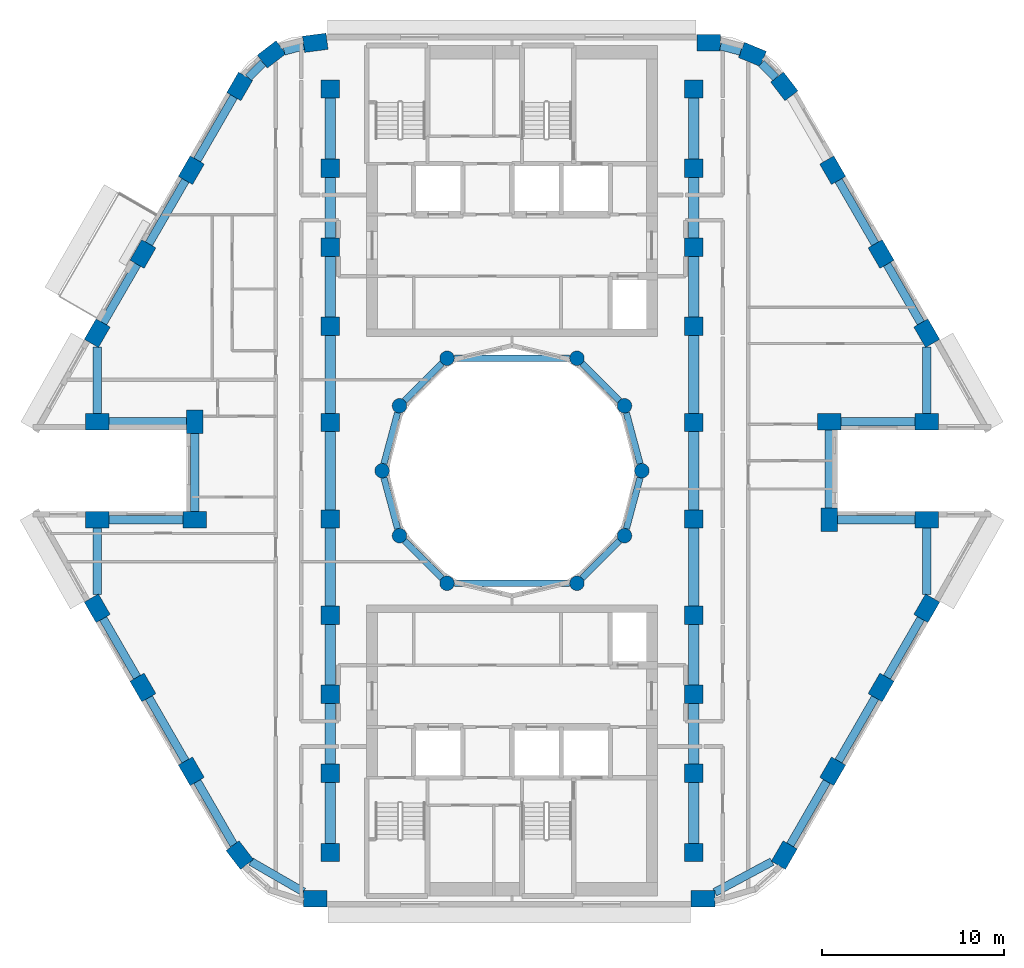
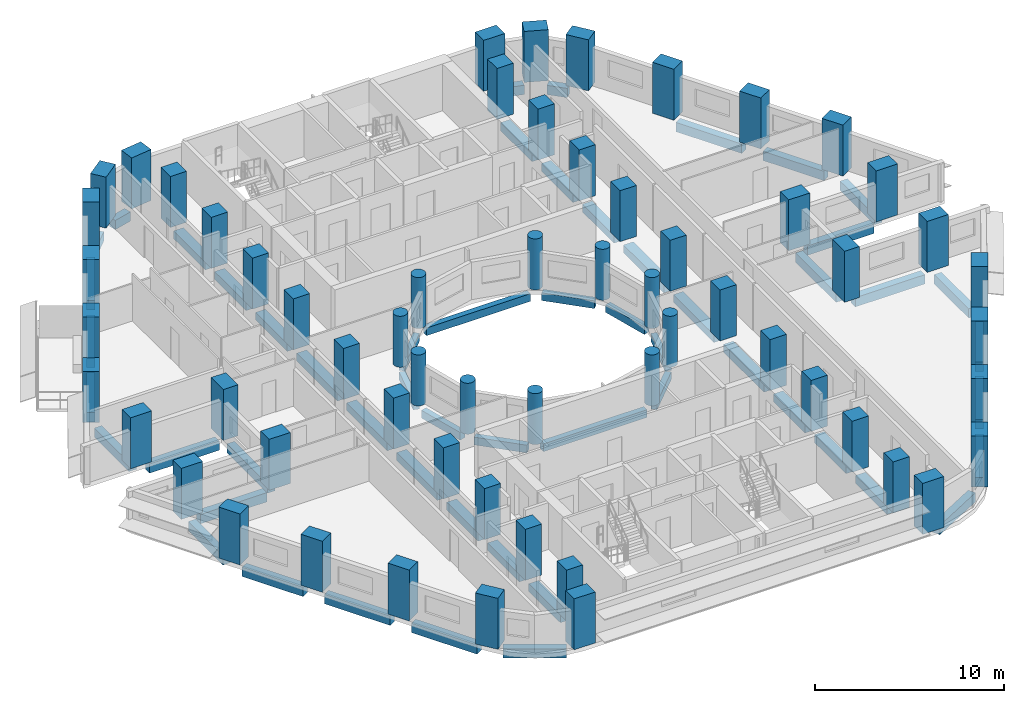
# One storey, part 1 of 13: 60 columns, 55 beams.
"""IFC4 building model written with IfcOpenShell, lengths in metres."""

from ifc_helpers import new_model, si_unit, direction, frame, origin, origin_2d, place, context, subcontext, project, spatial, rectangle, circle, extrude, material, material_profile, profile_set, type_object, element, save


model = new_model("IFC4")

# Units and contexts
model_context = context("Model", 3, precision=1e-05, world=origin(), true_north=direction((0.0, 1.0)))
body_context = subcontext(model_context, "Body", "Model", "MODEL_VIEW")
ifc_project = project(units=[si_unit("LENGTHUNIT", "METRE"), si_unit("AREAUNIT", "SQUARE_METRE"), si_unit("VOLUMEUNIT", "CUBIC_METRE"), si_unit("PLANEANGLEUNIT", "RADIAN"), si_unit("MASSUNIT", "GRAM", prefix="KILO")], contexts=[model_context])

# Site, building, storey
site_placement = place(None, origin())
site = spatial("IfcSite", under=ifc_project, at=site_placement, CompositionType="ELEMENT")
building_placement = place(site_placement, origin())
building = spatial("IfcBuilding", under=site, at=building_placement, Name="Nakaniwa Court", CompositionType="ELEMENT")
storey_placement = place(building_placement, frame((0.0, 0.0, 150.300048828125)))
storey = spatial("IfcBuildingStorey", under=building, at=storey_placement, Name="L39", CompositionType="ELEMENT", Elevation=150.300048828125)

# Columns
ifc_material = material(Name="Concrete C80/100", Category="concrete")
ifc_material_profile_1 = material_profile(ifc_material, rectangle(XDim=1.0, YDim=1.0, at=origin_2d()), Name="Concrete C80/100 RC 1000x1000 spine column")
ifc_profile_set_1 = profile_set([ifc_material_profile_1], Name="Concrete C80/100")
column_type_1 = type_object("IfcColumnType", Name="Concrete C80/100 RC 1000x1000 spine column", PredefinedType="COLUMN", material=ifc_profile_set_1)
for number, where, z_axis, x_axis, name in (
    (1, (90.0, 59.0, 0.0), (0.0, 0.0, 1.0), (0.0, 1.0, 0.0), "COLUMN CS-01"),
    (2, (90.0, 63.35009765625, 0.0), (0.0, 0.0, 1.0), (0.0, 1.0, 0.0), "COLUMN CS-02"),
    (3, (90.0, 67.699951171875, 0.0), (0.0, 0.0, 1.0), (0.0, 1.0, 0.0), "COLUMN CS-03"),
    (4, (90.0, 72.050048828125, 0.0), (0.0, 0.0, 1.0), (0.0, 1.0, 0.0), "COLUMN CS-04"),
    (5, (90.0, 77.35009765625, 0.0), (0.0, 0.0, 1.0), (0.0, 1.0, 0.0), "COLUMN CS-05"),
    (6, (90.0, 82.64990234375, 0.0), (0.0, 0.0, 1.0), (0.0, 1.0, 0.0), "COLUMN CS-06"),
    (7, (90.0, 87.949951171875, 0.0), (0.0, 0.0, 1.0), (0.0, 1.0, 0.0), "COLUMN CS-07"),
    (8, (90.0, 92.300048828125, 0.0), (0.0, 0.0, 1.0), (0.0, 1.0, 0.0), "COLUMN CS-08"),
    (9, (90.0, 96.64990234375, 0.0), (0.0, 0.0, 1.0), (0.0, 1.0, 0.0), "COLUMN CS-09"),
    (10, (90.0, 101.0, 0.0), (0.0, 0.0, 1.0), (0.0, 1.0, 0.0), "COLUMN CS-10"),
    (11, (70.0, 101.0, 0.0), (0.0, 0.0, 1.0), (0.0, -1.0, 0.0), "COLUMN CS-11"),
    (12, (70.0, 96.64990234375, 0.0), (0.0, 0.0, 1.0), (0.0, -1.0, 0.0), "COLUMN CS-12"),
    (13, (70.0, 92.300048828125, 0.0), (0.0, 0.0, 1.0), (0.0, -1.0, 0.0), "COLUMN CS-13"),
    (14, (70.0, 87.949951171875, 0.0), (0.0, 0.0, 1.0), (0.0, -1.0, 0.0), "COLUMN CS-14"),
    (15, (70.0, 82.64990234375, 0.0), (0.0, 0.0, 1.0), (0.0, -1.0, 0.0), "COLUMN CS-15"),
    (16, (70.0, 77.35009765625, 0.0), (0.0, 0.0, 1.0), (0.0, -1.0, 0.0), "COLUMN CS-16"),
    (17, (70.0, 72.050048828125, 0.0), (0.0, 0.0, 1.0), (0.0, -1.0, 0.0), "COLUMN CS-17"),
    (18, (70.0, 67.699951171875, 0.0), (0.0, 0.0, 1.0), (0.0, -1.0, 0.0), "COLUMN CS-18"),
    (19, (70.0, 63.35009765625, 0.0), (0.0, 0.0, 1.0), (0.0, -1.0, 0.0), "COLUMN CS-19"),
    (20, (70.0, 59.0, 0.0), (0.0, 0.0, 1.0), (0.0, -1.0, 0.0), "COLUMN CS-20"),
):
    element("IfcColumn", number, at=place(storey_placement, frame(where, z_axis=z_axis, x_axis=x_axis)), inside=storey, type_object=column_type_1, Name=name, PredefinedType="COLUMN", context=body_context, shape_type="SweptSolid", body=[
        extrude(rectangle(XDim=1.0, YDim=1.0, at=origin_2d()), origin(), (0.0, 0.0, 1.0), 3.300048828125),
    ])
ifc_material_profile_2 = material_profile(ifc_material, rectangle(XDim=1.300048828125, YDim=0.89990234375, at=origin_2d()), Name="Concrete C80/100 RC 1300x900 perimeter column")
ifc_profile_set_2 = profile_set([ifc_material_profile_2], Name="Concrete C80/100")
column_type_2 = type_object("IfcColumnType", Name="Concrete C80/100 RC 1300x900 perimeter column", PredefinedType="COLUMN", material=ifc_profile_set_2)
for number, where, z_axis, x_axis, name in (
    (21, (69.17529296875, 103.550048828125, 0.0), (0.0, 0.0, 1.0), (-0.991442583111, -0.130543496177, 0.0), "COLUMN CO-01"),
    (22, (66.772705078125, 102.91015625, 0.0), (0.0, 0.0, 1.0), (-0.793363965062, -0.608747582288, 0.0), "COLUMN CO-02"),
    (23, (65.017578125, 101.1494140625, 0.0), (0.0, 0.0, 1.0), (-0.5, -0.866025403784, 0.0), "COLUMN CO-03"),
    (24, (62.3544921875, 96.537109375, 0.0), (0.0, 0.0, 1.0), (-0.5, -0.866025403784, 0.0), "COLUMN CO-04"),
    (25, (59.691650390625, 91.9248046875, 0.0), (0.0, 0.0, 1.0), (-0.5, -0.866025403784, 0.0), "COLUMN CO-05"),
    (26, (57.177001953125, 87.569580078125, 0.0), (0.0, 0.0, 1.0), (-0.5, -0.866025403784, 0.0), "COLUMN CO-06"),
    (27, (57.177001953125, 82.699951171875, 0.0), (0.0, 0.0, 1.0), (1.0, 0.0, 0.0), "COLUMN CO-08"),
    (28, (62.54150390625, 82.699951171875, 0.0), (0.0, 0.0, 1.0), (0.0, -1.0, 0.0), "COLUMN CO-09"),
    (29, (62.54150390625, 77.300048828125, 0.0), (0.0, 0.0, 1.0), (-1.0, 0.0, 0.0), "COLUMN CO-10"),
    (30, (57.177001953125, 77.300048828125, 0.0), (0.0, 0.0, 1.0), (-1.0, 0.0, 0.0), "COLUMN CO-11"),
    (31, (57.177001953125, 72.430419921875, 0.0), (0.0, 0.0, 1.0), (0.5, -0.866025403784, 0.0), "COLUMN CO-13"),
    (32, (59.691650390625, 68.0751953125, 0.0), (0.0, 0.0, 1.0), (0.5, -0.866025403784, 0.0), "COLUMN CO-14"),
    (33, (62.3544921875, 63.462890625, 0.0), (0.0, 0.0, 1.0), (0.5, -0.866025403784, 0.0), "COLUMN CO-15"),
    (34, (65.017578125, 58.8505859375, 0.0), (0.0, 0.0, 1.0), (0.608761429009, -0.793353340291, 0.0), "COLUMN CO-16"),
    (35, (69.17529296875, 56.449951171875, 0.0), (0.0, 0.0, 1.0), (1.0, 0.0, 0.0), "COLUMN CO-17"),
    (36, (90.507080078125, 56.449951171875, 0.0), (0.0, 0.0, 1.0), (1.0, 0.0, 0.0), "COLUMN CO-21"),
    (37, (94.982421875, 58.8505859375, 0.0), (0.0, 0.0, 1.0), (0.5, 0.866025403784, 0.0), "COLUMN CO-22"),
    (38, (97.6455078125, 63.462890625, 0.0), (0.0, 0.0, 1.0), (0.5, 0.866025403784, 0.0), "COLUMN CO-23"),
    (39, (100.308349609375, 68.0751953125, 0.0), (0.0, 0.0, 1.0), (0.5, 0.866025403784, 0.0), "COLUMN CO-24"),
    (40, (102.822998046875, 72.430419921875, 0.0), (0.0, 0.0, 1.0), (0.5, 0.866025403784, 0.0), "COLUMN CO-25"),
    (41, (102.822998046875, 77.300048828125, 0.0), (0.0, 0.0, 1.0), (-1.0, 0.0, 0.0), "COLUMN CO-27"),
    (42, (97.45849609375, 77.300048828125, 0.0), (0.0, 0.0, 1.0), (0.0, 1.0, 0.0), "COLUMN CO-28"),
    (43, (97.45849609375, 82.699951171875, 0.0), (0.0, 0.0, 1.0), (1.0, 0.0, 0.0), "COLUMN CO-29"),
    (44, (102.822998046875, 82.699951171875, 0.0), (0.0, 0.0, 1.0), (1.0, 0.0, 0.0), "COLUMN CO-30"),
    (45, (102.822998046875, 87.569580078125, 0.0), (0.0, 0.0, 1.0), (-0.5, 0.866025403784, 0.0), "COLUMN CO-32"),
    (46, (100.308349609375, 91.9248046875, 0.0), (0.0, 0.0, 1.0), (-0.5, 0.866025403784, 0.0), "COLUMN CO-33"),
    (47, (97.6455078125, 96.537109375, 0.0), (0.0, 0.0, 1.0), (-0.5, 0.866025403784, 0.0), "COLUMN CO-34"),
    (48, (94.982421875, 101.1494140625, 0.0), (0.0, 0.0, 1.0), (-0.608761429009, 0.793353340291, 0.0), "COLUMN CO-35"),
    (49, (93.227294921875, 102.91015625, 0.0), (0.0, 0.0, 1.0), (-0.923879532511, 0.382683432365, 0.0), "COLUMN CO-36"),
    (50, (90.82470703125, 103.550048828125, 0.0), (0.0, 0.0, 1.0), (-1.0, 0.0, 0.0), "COLUMN CO-37"),
):
    element("IfcColumn", number, at=place(storey_placement, frame(where, z_axis=z_axis, x_axis=x_axis)), inside=storey, type_object=column_type_2, Name=name, PredefinedType="COLUMN", context=body_context, shape_type="SweptSolid", body=[
        extrude(rectangle(XDim=1.300048828125, YDim=0.89990234375, at=origin_2d()), origin(), (0.0, 0.0, 1.0), 3.300048828125),
    ])
ifc_material_profile_3 = material_profile(ifc_material, circle(Radius=0.39990234375, at=origin_2d()), Name="Concrete C80/100 RC D800 inner ring column")
ifc_profile_set_3 = profile_set([ifc_material_profile_3], Name="Concrete C80/100")
column_type_3 = type_object("IfcColumnType", Name="Concrete C80/100 RC D800 inner ring column", PredefinedType="COLUMN", material=ifc_profile_set_3)
for number, where, z_axis, x_axis, name in (
    (51, (87.14990234375, 80.0, 0.0), (0.0, 0.0, 1.0), (0.0, 1.0, 0.0), "COLUMN CI-01"),
    (52, (86.192138671875, 83.574951171875, 0.0), (0.0, 0.0, 1.0), (-0.5, 0.866025403784, 0.0), "COLUMN CI-02"),
    (53, (83.574951171875, 86.192138671875, 0.0), (0.0, 0.0, 1.0), (-0.866025403784, 0.5, 0.0), "COLUMN CI-03"),
    (54, (76.425048828125, 86.192138671875, 0.0), (0.0, 0.0, 1.0), (-0.866025403784, -0.5, 0.0), "COLUMN CI-05"),
    (55, (73.807861328125, 83.574951171875, 0.0), (0.0, 0.0, 1.0), (-0.5, -0.866025403784, 0.0), "COLUMN CI-06"),
    (56, (72.85009765625, 80.0, 0.0), (0.0, 0.0, 1.0), (0.0, -1.0, 0.0), "COLUMN CI-07"),
    (57, (73.807861328125, 76.425048828125, 0.0), (0.0, 0.0, 1.0), (0.5, -0.866025403784, 0.0), "COLUMN CI-08"),
    (58, (76.425048828125, 73.807861328125, 0.0), (0.0, 0.0, 1.0), (0.866025403784, -0.5, 0.0), "COLUMN CI-09"),
    (59, (83.574951171875, 73.807861328125, 0.0), (0.0, 0.0, 1.0), (0.866025403784, 0.5, 0.0), "COLUMN CI-11"),
    (60, (86.192138671875, 76.425048828125, 0.0), (0.0, 0.0, 1.0), (0.5, 0.866025403784, 0.0), "COLUMN CI-12"),
):
    element("IfcColumn", number, at=place(storey_placement, frame(where, z_axis=z_axis, x_axis=x_axis)), inside=storey, type_object=column_type_3, Name=name, PredefinedType="COLUMN", context=body_context, shape_type="SweptSolid", body=[
        extrude(circle(Radius=0.39990234375, at=origin_2d()), origin(), (0.0, 0.0, 1.0), 3.300048828125),
    ])

# Beams
ifc_material_profile_4 = material_profile(ifc_material, rectangle(XDim=0.35009765625, YDim=0.5, at=origin_2d()), Name="Concrete C80/100 RC 350x500 ring beam")
ifc_profile_set_4 = profile_set([ifc_material_profile_4], Name="Concrete C80/100")
beam_type_1 = type_object("IfcBeamType", Name="Concrete C80/100 RC 350x500 ring beam", PredefinedType="BEAM", material=ifc_profile_set_4)
beam_1_placement = place(storey_placement, frame((87.04638671875, 80.386474609375, -0.525146484375), z_axis=(-0.258778150207, 0.965936783115, 0.0), x_axis=(-0.965936783115, -0.258778150207, 0.0)))
element("IfcBeam", 61, at=beam_1_placement, inside=storey, type_object=beam_type_1, Name="RING BEAM", PredefinedType="BEAM", context=body_context, shape_type="SweptSolid", body=[
    extrude(rectangle(XDim=0.35009765625, YDim=0.5, at=origin_2d()), origin(), (0.0, 0.0, 1.0), 2.901123046875),
])
beam_2_placement = place(storey_placement, frame((85.9091796875, 83.85791015625, -0.525146484375), z_axis=(-0.707106781187, 0.707106781187, 0.0), x_axis=(-0.707106781187, -0.707106781187, 0.0)))
element("IfcBeam", 62, at=beam_2_placement, inside=storey, type_object=beam_type_1, Name="RING BEAM", PredefinedType="BEAM", context=body_context, shape_type="SweptSolid", body=[
    extrude(rectangle(XDim=0.35009765625, YDim=0.5, at=origin_2d()), origin(), (0.0, 0.0, 1.0), 2.90087890625),
])
beam_3_placement = place(storey_placement, frame((83.175048828125, 86.192138671875, -0.525146484375), z_axis=(-1.0, 0.0, 0.0), x_axis=(0.0, -1.0, 0.0)))
element("IfcBeam", 63, at=beam_3_placement, inside=storey, type_object=beam_type_1, Name="RING BEAM", PredefinedType="BEAM", context=body_context, shape_type="SweptSolid", body=[
    extrude(rectangle(XDim=0.35009765625, YDim=0.5, at=origin_2d()), origin(), (0.0, 0.0, 1.0), 6.35009765625),
])
beam_4_placement = place(storey_placement, frame((76.14208984375, 85.9091796875, -0.525146484375), z_axis=(-0.707106781187, -0.707106781187, 0.0), x_axis=(0.707106781187, -0.707106781187, 0.0)))
element("IfcBeam", 64, at=beam_4_placement, inside=storey, type_object=beam_type_1, Name="RING BEAM", PredefinedType="BEAM", context=body_context, shape_type="SweptSolid", body=[
    extrude(rectangle(XDim=0.35009765625, YDim=0.5, at=origin_2d()), origin(), (0.0, 0.0, 1.0), 2.90087890625),
])
for number, where, z_axis, x_axis, name in (
    (65, (73.704345703125, 83.188720703125, -0.525146484375), (-0.258778150207, -0.965936783115, 0.0), (0.965936783115, -0.258778150207, 0.0), "RING BEAM"),
    (66, (72.95361328125, 79.613525390625, -0.525146484375), (0.258778150207, -0.965936783115, 0.0), (0.965936783115, 0.258778150207, 0.0), "RING BEAM"),
):
    element("IfcBeam", number, at=place(storey_placement, frame(where, z_axis=z_axis, x_axis=x_axis)), inside=storey, type_object=beam_type_1, Name=name, PredefinedType="BEAM", context=body_context, shape_type="SweptSolid", body=[
        extrude(rectangle(XDim=0.35009765625, YDim=0.5, at=origin_2d()), origin(), (0.0, 0.0, 1.0), 2.901123046875),
    ])
beam_5_placement = place(storey_placement, frame((74.0908203125, 76.14208984375, -0.525146484375), z_axis=(0.707106781187, -0.707106781187, 0.0), x_axis=(0.707106781187, 0.707106781187, 0.0)))
element("IfcBeam", 67, at=beam_5_placement, inside=storey, type_object=beam_type_1, Name="RING BEAM", PredefinedType="BEAM", context=body_context, shape_type="SweptSolid", body=[
    extrude(rectangle(XDim=0.35009765625, YDim=0.5, at=origin_2d()), origin(), (0.0, 0.0, 1.0), 2.90087890625),
])
beam_6_placement = place(storey_placement, frame((76.824951171875, 73.807861328125, -0.525146484375), z_axis=(1.0, 0.0, 0.0), x_axis=(0.0, 1.0, 0.0)))
element("IfcBeam", 68, at=beam_6_placement, inside=storey, type_object=beam_type_1, Name="RING BEAM", PredefinedType="BEAM", context=body_context, shape_type="SweptSolid", body=[
    extrude(rectangle(XDim=0.35009765625, YDim=0.5, at=origin_2d()), origin(), (0.0, 0.0, 1.0), 6.35009765625),
])
beam_7_placement = place(storey_placement, frame((83.85791015625, 74.0908203125, -0.525146484375), z_axis=(0.707106781187, 0.707106781187, 0.0), x_axis=(-0.707106781187, 0.707106781187, 0.0)))
element("IfcBeam", 69, at=beam_7_placement, inside=storey, type_object=beam_type_1, Name="RING BEAM", PredefinedType="BEAM", context=body_context, shape_type="SweptSolid", body=[
    extrude(rectangle(XDim=0.35009765625, YDim=0.5, at=origin_2d()), origin(), (0.0, 0.0, 1.0), 2.90087890625),
])
beam_8_placement = place(storey_placement, frame((86.295654296875, 76.811279296875, -0.525146484375), z_axis=(0.258778150207, 0.965936783115, 0.0), x_axis=(-0.965936783115, 0.258778150207, 0.0)))
element("IfcBeam", 70, at=beam_8_placement, inside=storey, type_object=beam_type_1, Name="RING BEAM", PredefinedType="BEAM", context=body_context, shape_type="SweptSolid", body=[
    extrude(rectangle(XDim=0.35009765625, YDim=0.5, at=origin_2d()), origin(), (0.0, 0.0, 1.0), 2.901123046875),
])
ifc_material_profile_5 = material_profile(ifc_material, rectangle(XDim=0.449951171875, YDim=0.60009765625, at=origin_2d()), Name="Concrete C80/100 RC 450x600 spandrel beam")
ifc_profile_set_5 = profile_set([ifc_material_profile_5], Name="Concrete C80/100")
beam_type_2 = type_object("IfcBeamType", Name="Concrete C80/100 RC 450x600 spandrel beam", PredefinedType="BEAM", material=ifc_profile_set_5)
beam_9_placement = place(storey_placement, frame((68.5419921875, 103.38134765625, -0.574951171875), z_axis=(-0.966321172043, -0.257339061284, 0.0), x_axis=(0.257339061284, -0.966321172043, 0.0)))
element("IfcBeam", 71, at=beam_9_placement, inside=storey, type_object=beam_type_2, Name="SPANDREL BEAM", PredefinedType="BEAM", context=body_context, shape_type="SweptSolid", body=[
    extrude(rectangle(XDim=0.449951171875, YDim=0.60009765625, at=origin_2d()), origin(), (0.0, 0.0, 1.0), 1.126953125),
])
beam_10_placement = place(storey_placement, frame((66.309814453125, 102.44580078125, -0.574951171875), z_axis=(-0.706051557188, -0.708160432807, 0.0), x_axis=(0.708160432807, -0.706051557188, 0.0)))
element("IfcBeam", 72, at=beam_10_placement, inside=storey, type_object=beam_type_2, Name="SPANDREL BEAM", PredefinedType="BEAM", context=body_context, shape_type="SweptSolid", body=[
    extrude(rectangle(XDim=0.449951171875, YDim=0.60009765625, at=origin_2d()), origin(), (0.0, 0.0, 1.0), 1.15771484375),
])
for number, where, z_axis, x_axis, name in (
    (73, (64.6923828125, 100.586669921875, -0.574951171875), (-0.499993669216, -0.866029058833, 0.0), (0.866029058833, -0.499993669216, 0.0), "SPANDREL BEAM"),
    (74, (62.029541015625, 95.97412109375, -0.574951171875), (-0.499993669216, -0.866029058833, 0.0), (0.866029058833, -0.499993669216, 0.0), "SPANDREL BEAM"),
):
    element("IfcBeam", number, at=place(storey_placement, frame(where, z_axis=z_axis, x_axis=x_axis)), inside=storey, type_object=beam_type_2, Name=name, PredefinedType="BEAM", context=body_context, shape_type="SweptSolid", body=[
        extrude(rectangle(XDim=0.449951171875, YDim=0.60009765625, at=origin_2d()), origin(), (0.0, 0.0, 1.0), 4.02587890625),
    ])
beam_11_placement = place(storey_placement, frame((59.36669921875, 91.36181640625, -0.574951171875), z_axis=(-0.50001905207, -0.866014403787, 0.0), x_axis=(0.866014403787, -0.50001905207, 0.0)))
element("IfcBeam", 75, at=beam_11_placement, inside=storey, type_object=beam_type_2, Name="SPANDREL BEAM", PredefinedType="BEAM", context=body_context, shape_type="SweptSolid", body=[
    extrude(rectangle(XDim=0.449951171875, YDim=0.60009765625, at=origin_2d()), origin(), (0.0, 0.0, 1.0), 3.728759765625),
])
beam_12_placement = place(storey_placement, frame((57.177001953125, 86.819091796875, -0.574951171875), z_axis=(0.0, -1.0, 0.0), x_axis=(1.0, 0.0, 0.0)))
element("IfcBeam", 76, at=beam_12_placement, inside=storey, type_object=beam_type_2, Name="SPANDREL BEAM", PredefinedType="BEAM", context=body_context, shape_type="SweptSolid", body=[
    extrude(rectangle(XDim=0.449951171875, YDim=0.60009765625, at=origin_2d()), origin(), (0.0, 0.0, 1.0), 3.669189453125),
])
beam_13_placement = place(storey_placement, frame((57.8271484375, 82.699951171875, -0.574951171875), z_axis=(1.0, 0.0, 0.0), x_axis=(0.0, 1.0, 0.0)))
element("IfcBeam", 77, at=beam_13_placement, inside=storey, type_object=beam_type_2, Name="SPANDREL BEAM", PredefinedType="BEAM", context=body_context, shape_type="SweptSolid", body=[
    extrude(rectangle(XDim=0.449951171875, YDim=0.60009765625, at=origin_2d()), origin(), (0.0, 0.0, 1.0), 4.264404296875),
])
beam_14_placement = place(storey_placement, frame((62.54150390625, 82.050048828125, -0.574951171875), z_axis=(0.0, -1.0, 0.0), x_axis=(1.0, 0.0, 0.0)))
element("IfcBeam", 78, at=beam_14_placement, inside=storey, type_object=beam_type_2, Name="SPANDREL BEAM", PredefinedType="BEAM", context=body_context, shape_type="SweptSolid", body=[
    extrude(rectangle(XDim=0.449951171875, YDim=0.60009765625, at=origin_2d()), origin(), (0.0, 0.0, 1.0), 4.300048828125),
])
beam_15_placement = place(storey_placement, frame((61.8916015625, 77.300048828125, -0.574951171875), z_axis=(-1.0, 0.0, 0.0), x_axis=(0.0, -1.0, 0.0)))
element("IfcBeam", 79, at=beam_15_placement, inside=storey, type_object=beam_type_2, Name="SPANDREL BEAM", PredefinedType="BEAM", context=body_context, shape_type="SweptSolid", body=[
    extrude(rectangle(XDim=0.449951171875, YDim=0.60009765625, at=origin_2d()), origin(), (0.0, 0.0, 1.0), 4.064453125),
])
beam_16_placement = place(storey_placement, frame((57.177001953125, 76.85009765625, -0.574951171875), z_axis=(0.0, -1.0, 0.0), x_axis=(1.0, 0.0, 0.0)))
element("IfcBeam", 80, at=beam_16_placement, inside=storey, type_object=beam_type_2, Name="SPANDREL BEAM", PredefinedType="BEAM", context=body_context, shape_type="SweptSolid", body=[
    extrude(rectangle(XDim=0.449951171875, YDim=0.60009765625, at=origin_2d()), origin(), (0.0, 0.0, 1.0), 3.669189453125),
])
beam_17_placement = place(storey_placement, frame((57.502197265625, 71.867431640625, -0.574951171875), z_axis=(0.50001905207, -0.866014403787, 0.0), x_axis=(0.866014403787, 0.50001905207, 0.0)))
element("IfcBeam", 81, at=beam_17_placement, inside=storey, type_object=beam_type_2, Name="SPANDREL BEAM", PredefinedType="BEAM", context=body_context, shape_type="SweptSolid", body=[
    extrude(rectangle(XDim=0.449951171875, YDim=0.60009765625, at=origin_2d()), origin(), (0.0, 0.0, 1.0), 3.728759765625),
])
beam_18_placement = place(storey_placement, frame((60.0166015625, 67.512451171875, -0.574951171875), z_axis=(0.499993669216, -0.866029058833, 0.0), x_axis=(0.866029058833, 0.499993669216, 0.0)))
element("IfcBeam", 82, at=beam_18_placement, inside=storey, type_object=beam_type_2, Name="SPANDREL BEAM", PredefinedType="BEAM", context=body_context, shape_type="SweptSolid", body=[
    extrude(rectangle(XDim=0.449951171875, YDim=0.60009765625, at=origin_2d()), origin(), (0.0, 0.0, 1.0), 4.02587890625),
])
beam_19_placement = place(storey_placement, frame((62.679443359375, 62.89990234375, -0.574951171875), z_axis=(0.500018573463, -0.866014680125, 0.0), x_axis=(0.866014680125, 0.500018573463, 0.0)))
element("IfcBeam", 83, at=beam_19_placement, inside=storey, type_object=beam_type_2, Name="SPANDREL BEAM", PredefinedType="BEAM", context=body_context, shape_type="SweptSolid", body=[
    extrude(rectangle(XDim=0.449951171875, YDim=0.60009765625, at=origin_2d()), origin(), (0.0, 0.0, 1.0), 4.020263671875),
])
beam_20_placement = place(storey_placement, frame((65.626708984375, 58.498779296875, -0.574951171875), z_axis=(0.866021605644, -0.500006578514, 0.0), x_axis=(0.500006578514, 0.866021605644, 0.0)))
element("IfcBeam", 84, at=beam_20_placement, inside=storey, type_object=beam_type_2, Name="SPANDREL BEAM", PredefinedType="BEAM", context=body_context, shape_type="SweptSolid", body=[
    extrude(rectangle(XDim=0.449951171875, YDim=0.60009765625, at=origin_2d()), origin(), (0.0, 0.0, 1.0), 3.34716796875),
])
beam_21_placement = place(storey_placement, frame((91.156982421875, 56.798583984375, -0.574951171875), z_axis=(0.881239336512, 0.472670320397, 0.0), x_axis=(-0.472670320397, 0.881239336512, 0.0)))
element("IfcBeam", 85, at=beam_21_placement, inside=storey, type_object=beam_type_2, Name="SPANDREL BEAM", PredefinedType="BEAM", context=body_context, shape_type="SweptSolid", body=[
    extrude(rectangle(XDim=0.449951171875, YDim=0.60009765625, at=origin_2d()), origin(), (0.0, 0.0, 1.0), 3.576416015625),
])
for number, where, z_axis, x_axis, name in (
    (86, (95.3076171875, 59.413330078125, -0.574951171875), (0.499993669216, 0.866029058833, 0.0), (-0.866029058833, 0.499993669216, 0.0), "SPANDREL BEAM"),
    (87, (97.970458984375, 64.02587890625, -0.574951171875), (0.499993669216, 0.866029058833, 0.0), (-0.866029058833, 0.499993669216, 0.0), "SPANDREL BEAM"),
):
    element("IfcBeam", number, at=place(storey_placement, frame(where, z_axis=z_axis, x_axis=x_axis)), inside=storey, type_object=beam_type_2, Name=name, PredefinedType="BEAM", context=body_context, shape_type="SweptSolid", body=[
        extrude(rectangle(XDim=0.449951171875, YDim=0.60009765625, at=origin_2d()), origin(), (0.0, 0.0, 1.0), 4.02587890625),
    ])
beam_22_placement = place(storey_placement, frame((100.63330078125, 68.63818359375, -0.574951171875), z_axis=(0.50001905207, 0.866014403787, 0.0), x_axis=(-0.866014403787, 0.50001905207, 0.0)))
element("IfcBeam", 88, at=beam_22_placement, inside=storey, type_object=beam_type_2, Name="SPANDREL BEAM", PredefinedType="BEAM", context=body_context, shape_type="SweptSolid", body=[
    extrude(rectangle(XDim=0.449951171875, YDim=0.60009765625, at=origin_2d()), origin(), (0.0, 0.0, 1.0), 3.728759765625),
])
beam_23_placement = place(storey_placement, frame((102.822998046875, 73.180908203125, -0.574951171875), z_axis=(0.0, 1.0, 0.0), x_axis=(-1.0, 0.0, 0.0)))
element("IfcBeam", 89, at=beam_23_placement, inside=storey, type_object=beam_type_2, Name="SPANDREL BEAM", PredefinedType="BEAM", context=body_context, shape_type="SweptSolid", body=[
    extrude(rectangle(XDim=0.449951171875, YDim=0.60009765625, at=origin_2d()), origin(), (0.0, 0.0, 1.0), 3.669189453125),
])
beam_24_placement = place(storey_placement, frame((102.1728515625, 77.300048828125, -0.574951171875), z_axis=(-1.0, 0.0, 0.0), x_axis=(0.0, -1.0, 0.0)))
element("IfcBeam", 90, at=beam_24_placement, inside=storey, type_object=beam_type_2, Name="SPANDREL BEAM", PredefinedType="BEAM", context=body_context, shape_type="SweptSolid", body=[
    extrude(rectangle(XDim=0.449951171875, YDim=0.60009765625, at=origin_2d()), origin(), (0.0, 0.0, 1.0), 4.264404296875),
])
beam_25_placement = place(storey_placement, frame((97.45849609375, 77.949951171875, -0.574951171875), z_axis=(0.0, 1.0, 0.0), x_axis=(-1.0, 0.0, 0.0)))
element("IfcBeam", 91, at=beam_25_placement, inside=storey, type_object=beam_type_2, Name="SPANDREL BEAM", PredefinedType="BEAM", context=body_context, shape_type="SweptSolid", body=[
    extrude(rectangle(XDim=0.449951171875, YDim=0.60009765625, at=origin_2d()), origin(), (0.0, 0.0, 1.0), 4.300048828125),
])
beam_26_placement = place(storey_placement, frame((98.1083984375, 82.699951171875, -0.574951171875), z_axis=(1.0, 0.0, 0.0), x_axis=(0.0, 1.0, 0.0)))
element("IfcBeam", 92, at=beam_26_placement, inside=storey, type_object=beam_type_2, Name="SPANDREL BEAM", PredefinedType="BEAM", context=body_context, shape_type="SweptSolid", body=[
    extrude(rectangle(XDim=0.449951171875, YDim=0.60009765625, at=origin_2d()), origin(), (0.0, 0.0, 1.0), 4.064453125),
])
beam_27_placement = place(storey_placement, frame((102.822998046875, 83.14990234375, -0.574951171875), z_axis=(0.0, 1.0, 0.0), x_axis=(-1.0, 0.0, 0.0)))
element("IfcBeam", 93, at=beam_27_placement, inside=storey, type_object=beam_type_2, Name="SPANDREL BEAM", PredefinedType="BEAM", context=body_context, shape_type="SweptSolid", body=[
    extrude(rectangle(XDim=0.449951171875, YDim=0.60009765625, at=origin_2d()), origin(), (0.0, 0.0, 1.0), 3.669189453125),
])
beam_28_placement = place(storey_placement, frame((102.497802734375, 88.132568359375, -0.574951171875), z_axis=(-0.50001905207, 0.866014403787, 0.0), x_axis=(-0.866014403787, -0.50001905207, 0.0)))
element("IfcBeam", 94, at=beam_28_placement, inside=storey, type_object=beam_type_2, Name="SPANDREL BEAM", PredefinedType="BEAM", context=body_context, shape_type="SweptSolid", body=[
    extrude(rectangle(XDim=0.449951171875, YDim=0.60009765625, at=origin_2d()), origin(), (0.0, 0.0, 1.0), 3.728759765625),
])
beam_29_placement = place(storey_placement, frame((99.9833984375, 92.487548828125, -0.574951171875), z_axis=(-0.499993669216, 0.866029058833, 0.0), x_axis=(-0.866029058833, -0.499993669216, 0.0)))
element("IfcBeam", 95, at=beam_29_placement, inside=storey, type_object=beam_type_2, Name="SPANDREL BEAM", PredefinedType="BEAM", context=body_context, shape_type="SweptSolid", body=[
    extrude(rectangle(XDim=0.449951171875, YDim=0.60009765625, at=origin_2d()), origin(), (0.0, 0.0, 1.0), 4.02587890625),
])
beam_30_placement = place(storey_placement, frame((94.519775390625, 101.61376953125, -0.574951171875), z_axis=(-0.706022429805, 0.708189472254, 0.0), x_axis=(-0.708189472254, -0.706022429805, 0.0)))
element("IfcBeam", 96, at=beam_30_placement, inside=storey, type_object=beam_type_2, Name="SPANDREL BEAM", PredefinedType="BEAM", context=body_context, shape_type="SweptSolid", body=[
    extrude(rectangle(XDim=0.449951171875, YDim=0.60009765625, at=origin_2d()), origin(), (0.0, 0.0, 1.0), 1.126708984375),
])
beam_31_placement = place(storey_placement, frame((92.593505859375, 103.078857421875, -0.574951171875), z_axis=(-0.966294404875, 0.257439552335, 0.0), x_axis=(-0.257439552335, -0.966294404875, 0.0)))
element("IfcBeam", 97, at=beam_31_placement, inside=storey, type_object=beam_type_2, Name="SPANDREL BEAM", PredefinedType="BEAM", context=body_context, shape_type="SweptSolid", body=[
    extrude(rectangle(XDim=0.449951171875, YDim=0.60009765625, at=origin_2d()), origin(), (0.0, 0.0, 1.0), 1.157958984375),
])
ifc_material_profile_6 = material_profile(ifc_material, rectangle(XDim=0.60009765625, YDim=0.5, at=origin_2d()), Name="Concrete C80/100 RC 600x500 ring beam")
ifc_profile_set_6 = profile_set([ifc_material_profile_6], Name="Concrete C80/100")
beam_type_3 = type_object("IfcBeamType", Name="Concrete C80/100 RC 600x500 ring beam", PredefinedType="BEAM", material=ifc_profile_set_6)
beam_32_placement = place(storey_placement, frame((90.0, 59.5, -0.525146484375), z_axis=(0.0, 1.0, 0.0), x_axis=(-1.0, 0.0, 0.0)))
element("IfcBeam", 98, at=beam_32_placement, inside=storey, type_object=beam_type_3, Name="RING BEAM", PredefinedType="BEAM", context=body_context, shape_type="SweptSolid", body=[
    extrude(rectangle(XDim=0.60009765625, YDim=0.5, at=origin_2d()), origin(), (0.0, 0.0, 1.0), 3.35009765625),
])
beam_33_placement = place(storey_placement, frame((90.0, 63.85009765625, -0.525146484375), z_axis=(0.0, 1.0, 0.0), x_axis=(-1.0, 0.0, 0.0)))
element("IfcBeam", 99, at=beam_33_placement, inside=storey, type_object=beam_type_3, Name="RING BEAM", PredefinedType="BEAM", context=body_context, shape_type="SweptSolid", body=[
    extrude(rectangle(XDim=0.60009765625, YDim=0.5, at=origin_2d()), origin(), (0.0, 0.0, 1.0), 3.349853515625),
])
beam_34_placement = place(storey_placement, frame((90.0, 68.199951171875, -0.525146484375), z_axis=(0.0, 1.0, 0.0), x_axis=(-1.0, 0.0, 0.0)))
element("IfcBeam", 100, at=beam_34_placement, inside=storey, type_object=beam_type_3, Name="RING BEAM", PredefinedType="BEAM", context=body_context, shape_type="SweptSolid", body=[
    extrude(rectangle(XDim=0.60009765625, YDim=0.5, at=origin_2d()), origin(), (0.0, 0.0, 1.0), 3.35009765625),
])
beam_35_placement = place(storey_placement, frame((90.0, 72.550048828125, -0.525146484375), z_axis=(0.0, 1.0, 0.0), x_axis=(-1.0, 0.0, 0.0)))
element("IfcBeam", 101, at=beam_35_placement, inside=storey, type_object=beam_type_3, Name="RING BEAM", PredefinedType="BEAM", context=body_context, shape_type="SweptSolid", body=[
    extrude(rectangle(XDim=0.60009765625, YDim=0.5, at=origin_2d()), origin(), (0.0, 0.0, 1.0), 4.300048828125),
])
beam_36_placement = place(storey_placement, frame((90.0, 77.85009765625, -0.525146484375), z_axis=(0.0, 1.0, 0.0), x_axis=(-1.0, 0.0, 0.0)))
element("IfcBeam", 102, at=beam_36_placement, inside=storey, type_object=beam_type_3, Name="RING BEAM", PredefinedType="BEAM", context=body_context, shape_type="SweptSolid", body=[
    extrude(rectangle(XDim=0.60009765625, YDim=0.5, at=origin_2d()), origin(), (0.0, 0.0, 1.0), 4.2998046875),
])
beam_37_placement = place(storey_placement, frame((90.0, 83.14990234375, -0.525146484375), z_axis=(0.0, 1.0, 0.0), x_axis=(-1.0, 0.0, 0.0)))
element("IfcBeam", 103, at=beam_37_placement, inside=storey, type_object=beam_type_3, Name="RING BEAM", PredefinedType="BEAM", context=body_context, shape_type="SweptSolid", body=[
    extrude(rectangle(XDim=0.60009765625, YDim=0.5, at=origin_2d()), origin(), (0.0, 0.0, 1.0), 4.300048828125),
])
beam_38_placement = place(storey_placement, frame((90.0, 88.449951171875, -0.525146484375), z_axis=(0.0, 1.0, 0.0), x_axis=(-1.0, 0.0, 0.0)))
element("IfcBeam", 104, at=beam_38_placement, inside=storey, type_object=beam_type_3, Name="RING BEAM", PredefinedType="BEAM", context=body_context, shape_type="SweptSolid", body=[
    extrude(rectangle(XDim=0.60009765625, YDim=0.5, at=origin_2d()), origin(), (0.0, 0.0, 1.0), 3.35009765625),
])
beam_39_placement = place(storey_placement, frame((90.0, 92.800048828125, -0.525146484375), z_axis=(0.0, 1.0, 0.0), x_axis=(-1.0, 0.0, 0.0)))
element("IfcBeam", 105, at=beam_39_placement, inside=storey, type_object=beam_type_3, Name="RING BEAM", PredefinedType="BEAM", context=body_context, shape_type="SweptSolid", body=[
    extrude(rectangle(XDim=0.60009765625, YDim=0.5, at=origin_2d()), origin(), (0.0, 0.0, 1.0), 3.349853515625),
])
for number, where, z_axis, x_axis, name in (
    (106, (90.0, 97.14990234375, -0.525146484375), (0.0, 1.0, 0.0), (-1.0, 0.0, 0.0), "RING BEAM"),
    (107, (70.0, 100.5, -0.525146484375), (0.0, -1.0, 0.0), (1.0, 0.0, 0.0), "RING BEAM"),
):
    element("IfcBeam", number, at=place(storey_placement, frame(where, z_axis=z_axis, x_axis=x_axis)), inside=storey, type_object=beam_type_3, Name=name, PredefinedType="BEAM", context=body_context, shape_type="SweptSolid", body=[
        extrude(rectangle(XDim=0.60009765625, YDim=0.5, at=origin_2d()), origin(), (0.0, 0.0, 1.0), 3.35009765625),
    ])
beam_40_placement = place(storey_placement, frame((70.0, 96.14990234375, -0.525146484375), z_axis=(0.0, -1.0, 0.0), x_axis=(1.0, 0.0, 0.0)))
element("IfcBeam", 108, at=beam_40_placement, inside=storey, type_object=beam_type_3, Name="RING BEAM", PredefinedType="BEAM", context=body_context, shape_type="SweptSolid", body=[
    extrude(rectangle(XDim=0.60009765625, YDim=0.5, at=origin_2d()), origin(), (0.0, 0.0, 1.0), 3.349853515625),
])
beam_41_placement = place(storey_placement, frame((70.0, 91.800048828125, -0.525146484375), z_axis=(0.0, -1.0, 0.0), x_axis=(1.0, 0.0, 0.0)))
element("IfcBeam", 109, at=beam_41_placement, inside=storey, type_object=beam_type_3, Name="RING BEAM", PredefinedType="BEAM", context=body_context, shape_type="SweptSolid", body=[
    extrude(rectangle(XDim=0.60009765625, YDim=0.5, at=origin_2d()), origin(), (0.0, 0.0, 1.0), 3.35009765625),
])
beam_42_placement = place(storey_placement, frame((70.0, 87.449951171875, -0.525146484375), z_axis=(0.0, -1.0, 0.0), x_axis=(1.0, 0.0, 0.0)))
element("IfcBeam", 110, at=beam_42_placement, inside=storey, type_object=beam_type_3, Name="RING BEAM", PredefinedType="BEAM", context=body_context, shape_type="SweptSolid", body=[
    extrude(rectangle(XDim=0.60009765625, YDim=0.5, at=origin_2d()), origin(), (0.0, 0.0, 1.0), 4.300048828125),
])
beam_43_placement = place(storey_placement, frame((70.0, 82.14990234375, -0.525146484375), z_axis=(0.0, -1.0, 0.0), x_axis=(1.0, 0.0, 0.0)))
element("IfcBeam", 111, at=beam_43_placement, inside=storey, type_object=beam_type_3, Name="RING BEAM", PredefinedType="BEAM", context=body_context, shape_type="SweptSolid", body=[
    extrude(rectangle(XDim=0.60009765625, YDim=0.5, at=origin_2d()), origin(), (0.0, 0.0, 1.0), 4.2998046875),
])
beam_44_placement = place(storey_placement, frame((70.0, 76.85009765625, -0.525146484375), z_axis=(0.0, -1.0, 0.0), x_axis=(1.0, 0.0, 0.0)))
element("IfcBeam", 112, at=beam_44_placement, inside=storey, type_object=beam_type_3, Name="RING BEAM", PredefinedType="BEAM", context=body_context, shape_type="SweptSolid", body=[
    extrude(rectangle(XDim=0.60009765625, YDim=0.5, at=origin_2d()), origin(), (0.0, 0.0, 1.0), 4.300048828125),
])
beam_45_placement = place(storey_placement, frame((70.0, 71.550048828125, -0.525146484375), z_axis=(0.0, -1.0, 0.0), x_axis=(1.0, 0.0, 0.0)))
element("IfcBeam", 113, at=beam_45_placement, inside=storey, type_object=beam_type_3, Name="RING BEAM", PredefinedType="BEAM", context=body_context, shape_type="SweptSolid", body=[
    extrude(rectangle(XDim=0.60009765625, YDim=0.5, at=origin_2d()), origin(), (0.0, 0.0, 1.0), 3.35009765625),
])
beam_46_placement = place(storey_placement, frame((70.0, 67.199951171875, -0.525146484375), z_axis=(0.0, -1.0, 0.0), x_axis=(1.0, 0.0, 0.0)))
element("IfcBeam", 114, at=beam_46_placement, inside=storey, type_object=beam_type_3, Name="RING BEAM", PredefinedType="BEAM", context=body_context, shape_type="SweptSolid", body=[
    extrude(rectangle(XDim=0.60009765625, YDim=0.5, at=origin_2d()), origin(), (0.0, 0.0, 1.0), 3.349853515625),
])
beam_47_placement = place(storey_placement, frame((70.0, 62.85009765625, -0.525146484375), z_axis=(0.0, -1.0, 0.0), x_axis=(1.0, 0.0, 0.0)))
element("IfcBeam", 115, at=beam_47_placement, inside=storey, type_object=beam_type_3, Name="RING BEAM", PredefinedType="BEAM", context=body_context, shape_type="SweptSolid", body=[
    extrude(rectangle(XDim=0.60009765625, YDim=0.5, at=origin_2d()), origin(), (0.0, 0.0, 1.0), 3.35009765625),
])

save(model, "model.ifc")
